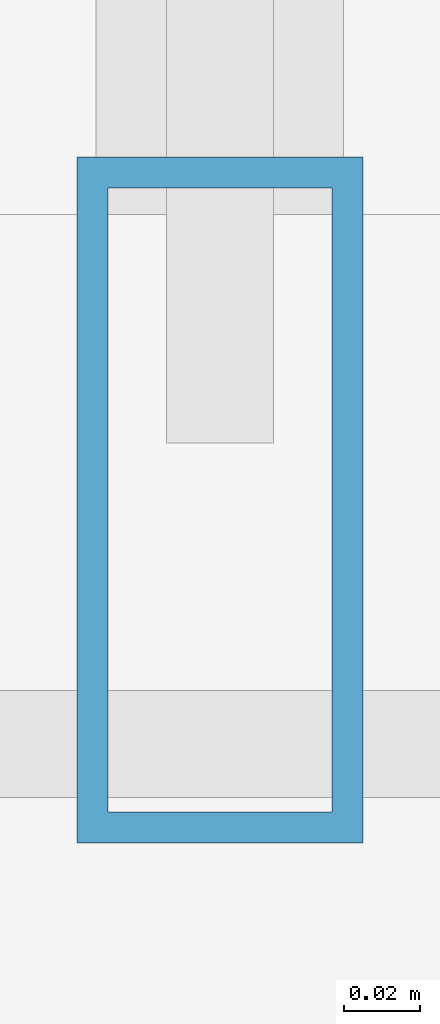
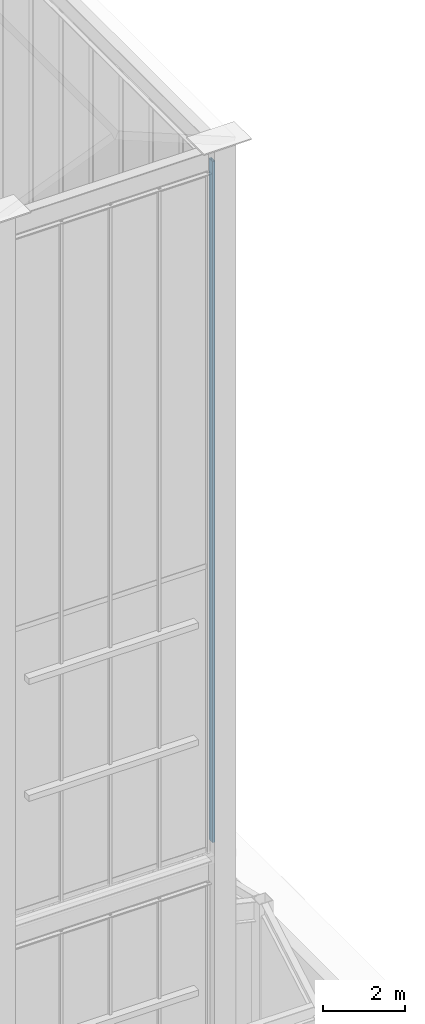
# One storey, part 46 of 135: 1 member, 1 element without a shape of its own.
"""IFC4 building model written with IfcOpenShell, lengths in metres."""

from ifc_helpers import new_model, si_unit, direction, frame, origin, origin_2d, place, context, subcontext, project, spatial, hollow_rectangle, extrude, source, transform, mapped, material, layer, layer_set, material_profile, profile_set, type_object, element, aggregate, save


model = new_model("IFC4")

# Units and contexts
model_context = context("Model", 3, precision=1e-05, world=origin(), true_north=direction((0.0, 1.0)))
body_context = subcontext(model_context, "Body", "Model", "MODEL_VIEW")
ifc_project = project(units=[si_unit("LENGTHUNIT", "METRE"), si_unit("AREAUNIT", "SQUARE_METRE"), si_unit("VOLUMEUNIT", "CUBIC_METRE"), si_unit("PLANEANGLEUNIT", "RADIAN"), si_unit("MASSUNIT", "GRAM", prefix="KILO")], contexts=[model_context])

# Site, building, storey
site_placement = place(None, origin())
site = spatial("IfcSite", under=ifc_project, at=site_placement, CompositionType="ELEMENT")
building_placement = place(site_placement, origin())
building = spatial("IfcBuilding", under=site, at=building_placement, Name="Giltprow Tower", CompositionType="ELEMENT")
storey_placement = place(building_placement, frame((0.0, 0.0, 352.699951171875)))
storey = spatial("IfcBuildingStorey", under=building, at=storey_placement, Name="L92", CompositionType="ELEMENT", Elevation=352.699951171875)

# Curtain wall, member
ifc_material = material(Name="Anodized bronze", Category="metal")
ifc_layer = layer(ifc_material, 0.179931640625, Name="Anodized bronze")
ifc_layer_set = layer_set([ifc_layer], Name="Anodized bronze")
curtain_wall_type = type_object("IfcCurtainWallType", Name="CW-CROWN-LANTERN", PredefinedType="NOTDEFINED", material=ifc_layer_set)
curtain_wall_placement = place(storey_placement, origin())
curtain_wall = element("IfcCurtainWall", 1, at=curtain_wall_placement, inside=storey, type_object=curtain_wall_type, Name="Crown East Upper Lantern Glazing 2", PredefinedType="NOTDEFINED")
ifc_material_profile = material_profile(ifc_material, hollow_rectangle(XDim=0.074951171875, YDim=0.179931640625, WallThickness=0.008056640625, at=origin_2d()), Name="RHS 180x75x8")
ifc_profile_set = profile_set([ifc_material_profile], Name="Anodized bronze")
member_type = type_object("IfcMemberType", Name="CW-MULLION-180x75", PredefinedType="MULLION", material=ifc_profile_set)
shared_shape = source(origin(), body_context, "Body", "SweptSolid", [
    extrude(hollow_rectangle(XDim=0.074951171875, YDim=0.179931640625, WallThickness=0.008056640625, at=origin_2d()), origin(), (0.0, 0.0, 1.0), 20.406005859375),
])
member_placement = place(storey_placement, frame((50.550048828125, 23.85009765625, 17.25), z_axis=(0.0, 0.0, 1.0), x_axis=(1.0, 0.0, 0.0)))
member = element("IfcMember", 2, at=member_placement, type_object=member_type, Name="Crown East Upper Lantern Glazing 2 Mullion 1", PredefinedType="MULLION", context=body_context, shape_type="MappedRepresentation", body=[
    mapped(shared_shape, transform((0.0, 0.0, 0.0), x_axis=(1.0, 0.0, 0.0), y_axis=(0.0, 1.0, 0.0), z_axis=(0.0, 0.0, 1.0), scale=1.0)),
])
aggregate(curtain_wall, [member])

save(model, "model.ifc")
